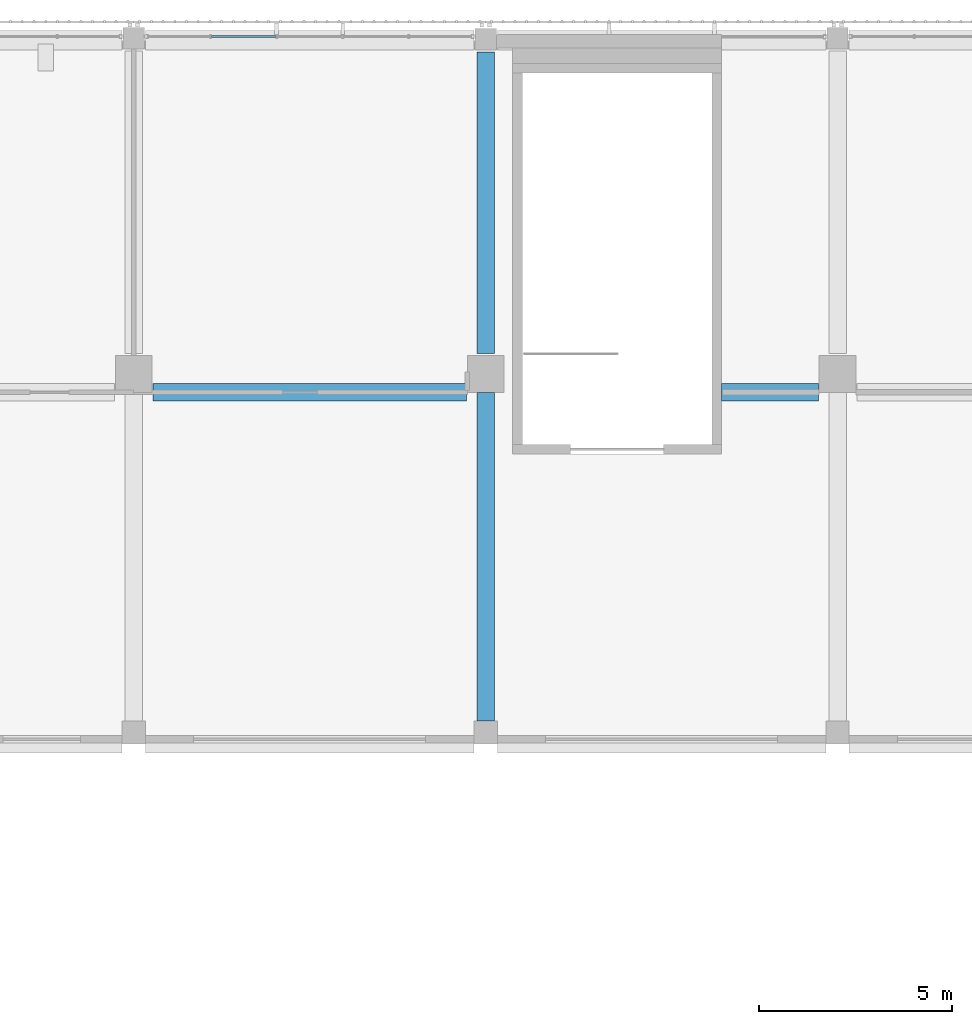
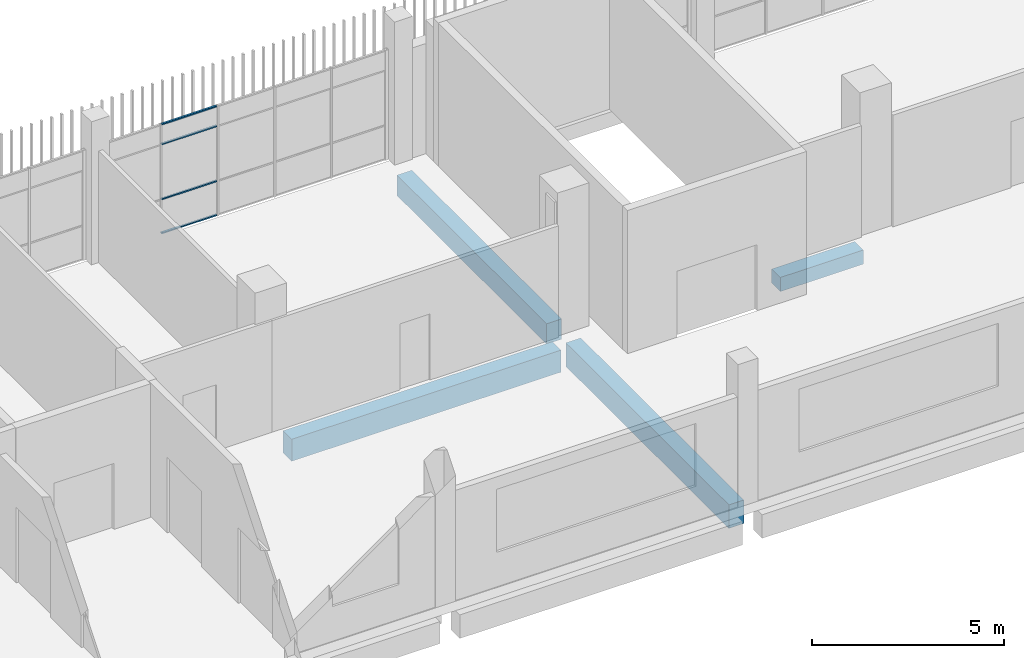
# One storey, part 26 of 104: 4 beams, 4 members, 1 element without a shape of its own.
"""IFC4 building model written with IfcOpenShell, lengths in metres."""

from ifc_helpers import new_model, si_unit, direction, frame, origin, origin_2d, place, context, subcontext, project, spatial, rectangle, hollow_rectangle, extrude, material, layer, layer_set, material_profile, profile_set, type_object, element, aggregate, save


model = new_model("IFC4")

# Units and contexts
model_context = context("Model", 3, precision=1e-05, world=origin(), true_north=direction((0.0, 1.0)))
body_context = subcontext(model_context, "Body", "Model", "MODEL_VIEW")
ifc_project = project(units=[si_unit("LENGTHUNIT", "METRE"), si_unit("AREAUNIT", "SQUARE_METRE"), si_unit("VOLUMEUNIT", "CUBIC_METRE"), si_unit("PLANEANGLEUNIT", "RADIAN"), si_unit("MASSUNIT", "GRAM", prefix="KILO")], contexts=[model_context])

# Site, building, storey
site_placement = place(None, origin())
site = spatial("IfcSite", under=ifc_project, at=site_placement, CompositionType="ELEMENT")
building_placement = place(site_placement, origin())
building = spatial("IfcBuilding", under=site, at=building_placement, Name="Shirokan Park Arena", CompositionType="ELEMENT")
storey_placement = place(building_placement, frame((0.0, 0.0, 10.919921875)))
storey = spatial("IfcBuildingStorey", under=building, at=storey_placement, Name="L02", CompositionType="ELEMENT", Elevation=10.919921875)

# Beams
ifc_material_1 = material(Name="Concrete C35", Category="concrete")
ifc_material_profile_1 = material_profile(ifc_material_1, rectangle(XDim=0.449951171875, YDim=0.64990234375, at=origin_2d()), Name="450x650")
ifc_profile_set_1 = profile_set([ifc_material_profile_1], Name="Concrete C35")
beam_type_1 = type_object("IfcBeamType", Name="RC girder 450x650", PredefinedType="BEAM", material=ifc_profile_set_1)
beam_1_placement = place(storey_placement, frame((54.60009765625, 101.10009765625, -0.625), z_axis=(0.0, 1.0, 0.0), x_axis=(-1.0, 0.0, 0.0)))
element("IfcBeam", 1, at=beam_1_placement, inside=storey, type_object=beam_type_1, Name="Girder 7M-7N L02", PredefinedType="BEAM", context=body_context, shape_type="SweptSolid", body=[
    extrude(rectangle(XDim=0.449951171875, YDim=0.64990234375, at=origin_2d()), origin(), (0.0, 0.0, 1.0), 7.7998046875),
])
ifc_material_profile_2 = material_profile(ifc_material_1, rectangle(XDim=0.449951171875, YDim=0.699951171875, at=origin_2d()), Name="450x700")
ifc_profile_set_2 = profile_set([ifc_material_profile_2], Name="Concrete C35")
beam_type_2 = type_object("IfcBeamType", Name="RC girder 450x700", PredefinedType="BEAM", material=ifc_profile_set_2)
beam_2_placement = place(storey_placement, frame((46.0, 100.10009765625, -0.64990234375), z_axis=(1.0, 0.0, 0.0), x_axis=(0.0, 1.0, 0.0)))
element("IfcBeam", 2, at=beam_2_placement, inside=storey, type_object=beam_type_2, Name="Girder 6M-7M L02", PredefinedType="BEAM", context=body_context, shape_type="SweptSolid", body=[
    extrude(rectangle(XDim=0.449951171875, YDim=0.699951171875, at=origin_2d()), origin(), (0.0, 0.0, 1.0), 8.099853515625),
])
ifc_material_profile_3 = material_profile(ifc_material_1, rectangle(XDim=0.449951171875, YDim=0.75, at=origin_2d()), Name="450x750")
ifc_profile_set_3 = profile_set([ifc_material_profile_3], Name="Concrete C35")
beam_type_3 = type_object("IfcBeamType", Name="RC girder 450x750", PredefinedType="BEAM", material=ifc_profile_set_3)
beam_3_placement = place(storey_placement, frame((54.60009765625, 91.60009765625, -0.6748046875), z_axis=(0.0, 1.0, 0.0), x_axis=(-1.0, 0.0, 0.0)))
element("IfcBeam", 3, at=beam_3_placement, inside=storey, type_object=beam_type_3, Name="Girder 7L-7M L02", PredefinedType="BEAM", context=body_context, shape_type="SweptSolid", body=[
    extrude(rectangle(XDim=0.449951171875, YDim=0.75, at=origin_2d()), origin(), (0.0, 0.0, 1.0), 8.499755859375),
])
ifc_material_profile_4 = material_profile(ifc_material_1, rectangle(XDim=0.449951171875, YDim=0.449951171875, at=origin_2d()), Name="450x450")
ifc_profile_set_4 = profile_set([ifc_material_profile_4], Name="Concrete C35")
beam_type_4 = type_object("IfcBeamType", Name="RC trimmer 450x450", PredefinedType="BEAM", material=ifc_profile_set_4)
beam_4_placement = place(storey_placement, frame((60.699951171875, 100.10009765625, -0.52490234375), z_axis=(1.0, 0.0, 0.0), x_axis=(0.0, 1.0, 0.0)))
element("IfcBeam", 4, at=beam_4_placement, inside=storey, type_object=beam_type_4, Name="Girder 7M-8M L02", PredefinedType="BEAM", context=body_context, shape_type="SweptSolid", body=[
    extrude(rectangle(XDim=0.449951171875, YDim=0.449951171875, at=origin_2d()), origin(), (0.0, 0.0, 1.0), 2.5),
])

# Curtain wall, members
ifc_material_2 = material(Name="Steel and glass curtain wall", Category="steel")
ifc_layer = layer(ifc_material_2, 0.10009765625)
ifc_layer_set = layer_set([ifc_layer], Name="Steel and glass curtain wall 100 mm")
curtain_wall_type = type_object("IfcCurtainWallType", Name="Curtain wall sheltered bay 100", PredefinedType="NOTDEFINED", material=ifc_layer_set)
curtain_wall_placement = place(storey_placement, origin())
curtain_wall = element("IfcCurtainWall", 5, at=curtain_wall_placement, inside=storey, type_object=curtain_wall_type, Name="Curtain wall north bay 11 L02", PredefinedType="NOTDEFINED")
ifc_material_3 = material(Name="Steel S355", Category="steel")
ifc_material_profile_5 = material_profile(ifc_material_3, hollow_rectangle(XDim=0.06005859375, YDim=0.0400390625, WallThickness=0.00390625, at=origin_2d()), Name="RHS 60x40x4")
ifc_profile_set_5 = profile_set([ifc_material_profile_5], Name="Steel S355")
member_type = type_object("IfcMemberType", Name="Transom RHS 60x40x4", PredefinedType="MULLION", material=ifc_profile_set_5)
member_1_placement = place(storey_placement, frame((49.169921875, 109.300048828125, 0.02001953125), z_axis=(-1.0, 0.0, 0.0), x_axis=(0.0, -1.0, 0.0)))
member_1 = element("IfcMember", 6, at=member_1_placement, type_object=member_type, Name="CW2 transom 4.1", PredefinedType="MULLION", context=body_context, shape_type="SweptSolid", body=[
    extrude(hollow_rectangle(XDim=0.06005859375, YDim=0.0400390625, WallThickness=0.00390625, at=origin_2d()), origin(), (0.0, 0.0, 1.0), 1.659912109375),
])
member_2_placement = place(storey_placement, frame((49.169921875, 109.300048828125, 1.10009765625), z_axis=(-1.0, 0.0, 0.0), x_axis=(0.0, -1.0, 0.0)))
member_2 = element("IfcMember", 7, at=member_2_placement, type_object=member_type, Name="CW2 transom 4.2", PredefinedType="MULLION", context=body_context, shape_type="SweptSolid", body=[
    extrude(hollow_rectangle(XDim=0.06005859375, YDim=0.0400390625, WallThickness=0.00390625, at=origin_2d()), origin(), (0.0, 0.0, 1.0), 1.659912109375),
])
member_3_placement = place(storey_placement, frame((49.169921875, 109.300048828125, 2.85009765625), z_axis=(-1.0, 0.0, 0.0), x_axis=(0.0, -1.0, 0.0)))
member_3 = element("IfcMember", 8, at=member_3_placement, type_object=member_type, Name="CW2 transom 4.3", PredefinedType="MULLION", context=body_context, shape_type="SweptSolid", body=[
    extrude(hollow_rectangle(XDim=0.06005859375, YDim=0.0400390625, WallThickness=0.00390625, at=origin_2d()), origin(), (0.0, 0.0, 1.0), 1.659912109375),
])
member_4_placement = place(storey_placement, frame((49.169921875, 109.300048828125, 3.47998046875), z_axis=(-1.0, 0.0, 0.0), x_axis=(0.0, -1.0, 0.0)))
member_4 = element("IfcMember", 9, at=member_4_placement, type_object=member_type, Name="CW2 transom 4.4", PredefinedType="MULLION", context=body_context, shape_type="SweptSolid", body=[
    extrude(hollow_rectangle(XDim=0.06005859375, YDim=0.0400390625, WallThickness=0.00390625, at=origin_2d()), origin(), (0.0, 0.0, 1.0), 1.659912109375),
])
aggregate(curtain_wall, [member_1, member_2, member_3, member_4])

save(model, "model.ifc")
